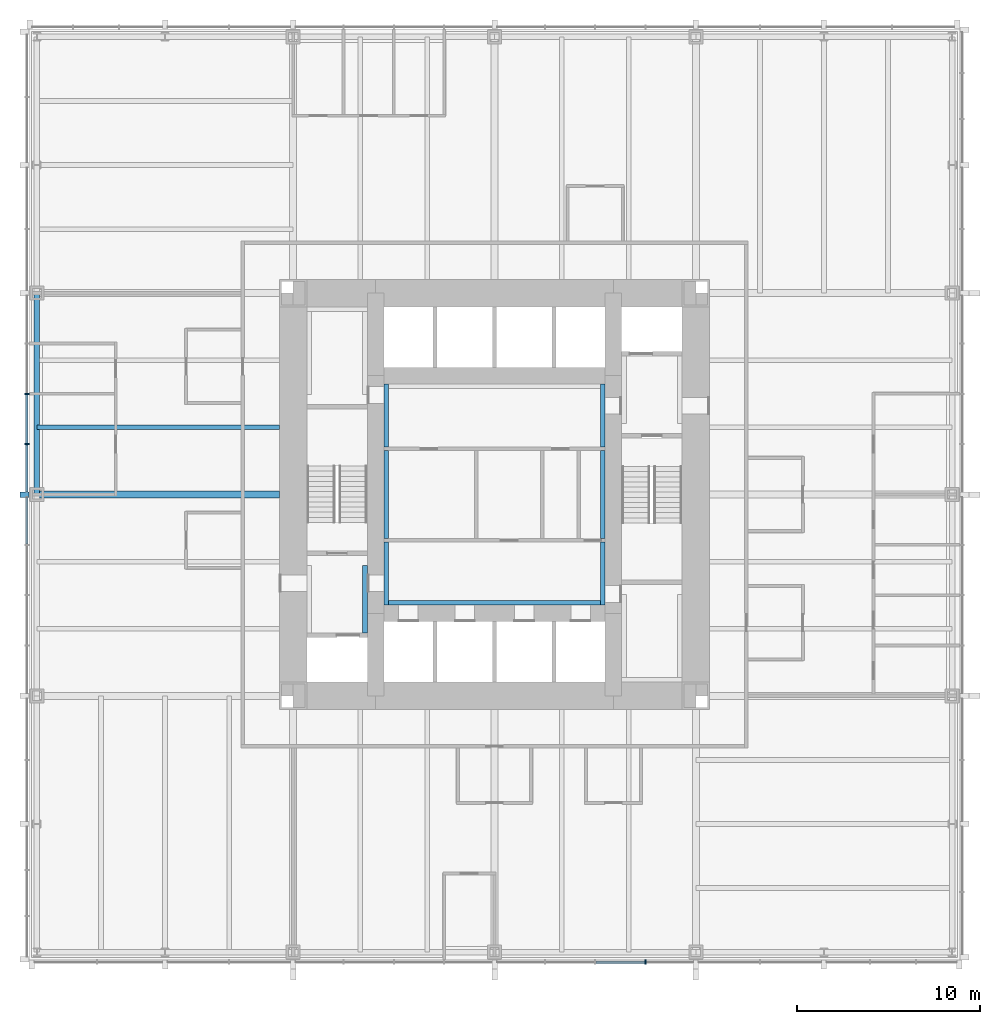
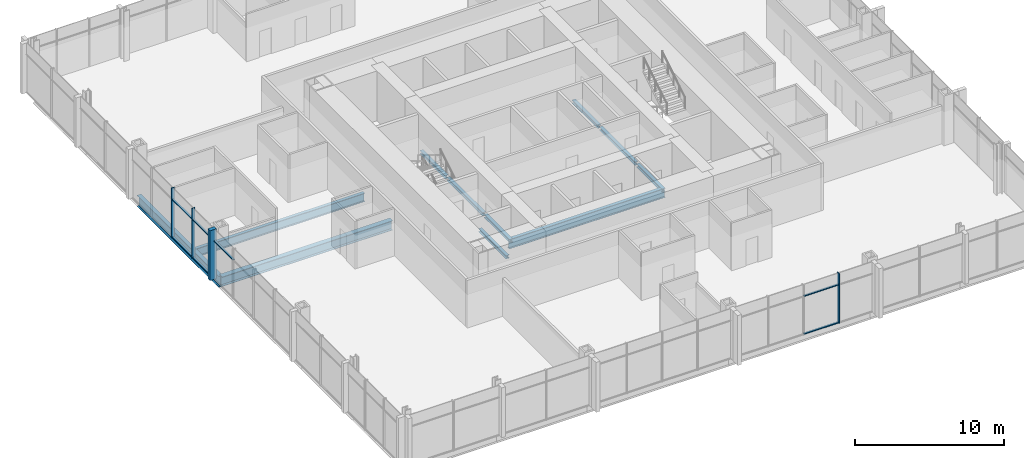
# One storey, part 3 of 12: 11 beams, 11 members, 2 elements without a shape of their own.
"""IFC4 building model written with IfcOpenShell, lengths in metres."""

from ifc_helpers import new_model, si_unit, direction, frame, origin, origin_2d, place, context, subcontext, project, spatial, rectangle, i_section, extrude, material, material_profile, profile_set, type_object, element, aggregate, save


model = new_model("IFC4")

# Units and contexts
model_context = context("Model", 3, precision=1e-05, world=origin(), true_north=direction((0.0, 1.0)))
body_context = subcontext(model_context, "Body", "Model", "MODEL_VIEW")
ifc_project = project(units=[si_unit("LENGTHUNIT", "METRE"), si_unit("AREAUNIT", "SQUARE_METRE"), si_unit("VOLUMEUNIT", "CUBIC_METRE"), si_unit("PLANEANGLEUNIT", "RADIAN"), si_unit("MASSUNIT", "GRAM", prefix="KILO")], contexts=[model_context])

# Site, building, storey
site_placement = place(None, origin())
site = spatial("IfcSite", under=ifc_project, at=site_placement, CompositionType="ELEMENT")
building_placement = place(site_placement, origin())
building = spatial("IfcBuilding", under=site, at=building_placement, Name="Trevanion Tower", CompositionType="ELEMENT")
storey_placement = place(building_placement, frame((0.0, 0.0, 32.39990234375)))
storey = spatial("IfcBuildingStorey", under=building, at=storey_placement, Name="L07", CompositionType="ELEMENT", Elevation=32.39990234375)

# Beam
ifc_material_1 = material(Name="Steel ASTM A992 Grade 50", Category="steel")
ifc_material_profile_1 = material_profile(ifc_material_1, i_section(OverallWidth=0.25390625, OverallDepth=0.700927734375, WebThickness=0.015380859375, FlangeThickness=0.02783203125, at=origin_2d()), Name="W27X129")
ifc_profile_set_1 = profile_set([ifc_material_profile_1], Name="Steel ASTM A992 Grade 50")
beam_type_1 = type_object("IfcBeamType", Name="B3 W27X129", PredefinedType="BEAM", material=ifc_profile_set_1)
beam_1_placement = place(storey_placement, frame((-11.75, 3.666748046875, -0.540283203125), z_axis=(-1.0, 0.0, 0.0), x_axis=(0.0, -1.0, 0.0)))
element("IfcBeam", 1, at=beam_1_placement, inside=storey, type_object=beam_type_1, Name="B3 L07", PredefinedType="BEAM", context=body_context, shape_type="SweptSolid", body=[
    extrude(i_section(OverallWidth=0.25390625, OverallDepth=0.700927734375, WebThickness=0.015380859375, FlangeThickness=0.02783203125, at=origin_2d()), origin(), (0.0, 0.0, 1.0), 13.25),
])

# Curtain wall, members
ifc_material_2 = material(Name="Aluminium and glass", Category="aluminium")
curtain_wall_type = type_object("IfcCurtainWallType", Name="CW1 curtain wall", PredefinedType="USERDEFINED", material=ifc_material_2)
curtain_wall_1_placement = place(storey_placement, origin())
curtain_wall_1 = element("IfcCurtainWall", 2, at=curtain_wall_1_placement, inside=storey, type_object=curtain_wall_type, Name="CW1 L07 2", ObjectType="UNITISED CURTAIN WALL", PredefinedType="USERDEFINED")
ifc_material_3 = material(Name="Aluminium extrusion, anodised bronze", Category="aluminium")
ifc_material_profile_2 = material_profile(ifc_material_3, rectangle(XDim=0.074951171875, YDim=0.25, at=origin_2d()), Name="CW1 mullion")
ifc_profile_set_2 = profile_set([ifc_material_profile_2], Name="Aluminium extrusion, anodised bronze")
member_type_1 = type_object("IfcMemberType", Name="CW1 mullion", PredefinedType="MULLION", material=ifc_profile_set_2)
member_1_placement = place(storey_placement, frame((-25.550048828125, 5.5, -0.18994140625), z_axis=(0.0, 0.0, 1.0), x_axis=(0.0, -1.0, 0.0)))
member_1 = element("IfcMember", 3, at=member_1_placement, type_object=member_type_1, Name="CW1 mullion 7", PredefinedType="MULLION", context=body_context, shape_type="SweptSolid", body=[
    extrude(rectangle(XDim=0.074951171875, YDim=0.25, at=origin_2d()), origin(), (0.0, 0.0, 1.0), 4.10009765625),
])
member_2_placement = place(storey_placement, frame((-25.550048828125, 2.75, -0.18994140625), z_axis=(0.0, 0.0, 1.0), x_axis=(0.0, -1.0, 0.0)))
member_2 = element("IfcMember", 4, at=member_2_placement, type_object=member_type_1, Name="CW1 mullion 8", PredefinedType="MULLION", context=body_context, shape_type="SweptSolid", body=[
    extrude(rectangle(XDim=0.074951171875, YDim=0.25, at=origin_2d()), origin(), (0.0, 0.0, 1.0), 4.10009765625),
])

# Curtain wall, member
curtain_wall_2_placement = place(storey_placement, origin())
curtain_wall_2 = element("IfcCurtainWall", 5, at=curtain_wall_2_placement, inside=storey, type_object=curtain_wall_type, Name="CW1 L07 3", ObjectType="UNITISED CURTAIN WALL", PredefinedType="USERDEFINED")
member_3_placement = place(storey_placement, frame((8.25, -25.550048828125, -0.18994140625), z_axis=(0.0, 0.0, 1.0), x_axis=(1.0, 0.0, 0.0)))
member_3 = element("IfcMember", 6, at=member_3_placement, type_object=member_type_1, Name="CW1 mullion 12", PredefinedType="MULLION", context=body_context, shape_type="SweptSolid", body=[
    extrude(rectangle(XDim=0.074951171875, YDim=0.25, at=origin_2d()), origin(), (0.0, 0.0, 1.0), 4.10009765625),
])

# Member
ifc_material_4 = material(Name="Aluminium extrusion, anodised bronze", Category="aluminium")
ifc_material_profile_3 = material_profile(ifc_material_4, rectangle(XDim=0.300048828125, YDim=0.5, at=origin_2d()), Name="CW1 pier mullion")
ifc_profile_set_3 = profile_set([ifc_material_profile_3], Name="Aluminium extrusion, anodised bronze")
member_type_2 = type_object("IfcMemberType", Name="CW1 pier mullion", PredefinedType="MULLION", material=ifc_profile_set_3)
member_4_placement = place(storey_placement, frame((-25.675048828125, 0.0, -0.18994140625), z_axis=(0.0, 0.0, 1.0), x_axis=(0.0, -1.0, 0.0)))
member_4 = element("IfcMember", 7, at=member_4_placement, type_object=member_type_2, Name="CW1 pier mullion 9", PredefinedType="MULLION", context=body_context, shape_type="SweptSolid", body=[
    extrude(rectangle(XDim=0.300048828125, YDim=0.5, at=origin_2d()), origin(), (0.0, 0.0, 1.0), 4.10009765625),
])

ifc_material_5 = material(Name="Aluminium extrusion, anodised bronze", Category="aluminium")
ifc_material_profile_4 = material_profile(ifc_material_5, rectangle(XDim=0.14990234375, YDim=0.074951171875, at=origin_2d()), Name="CW1 transom")
ifc_profile_set_4 = profile_set([ifc_material_profile_4], Name="Aluminium extrusion, anodised bronze")
member_type_3 = type_object("IfcMemberType", Name="CW1 transom", PredefinedType="USERDEFINED", material=ifc_profile_set_4)
member_5_placement = place(storey_placement, frame((-25.550048828125, 5.46240234375, -0.15234375), z_axis=(0.0, -1.0, 0.0), x_axis=(1.0, 0.0, 0.0)))
member_5 = element("IfcMember", 8, at=member_5_placement, type_object=member_type_3, Name="CW1 transom 7.1", ObjectType="TRANSOM", PredefinedType="USERDEFINED", context=body_context, shape_type="SweptSolid", body=[
    extrude(rectangle(XDim=0.14990234375, YDim=0.074951171875, at=origin_2d()), origin(), (0.0, 0.0, 1.0), 2.6748046875),
])

member_6_placement = place(storey_placement, frame((-25.550048828125, 5.46240234375, 2.960205078125), z_axis=(0.0, -1.0, 0.0), x_axis=(1.0, 0.0, 0.0)))
member_6 = element("IfcMember", 9, at=member_6_placement, type_object=member_type_3, Name="CW1 transom 7.2", ObjectType="TRANSOM", PredefinedType="USERDEFINED", context=body_context, shape_type="SweptSolid", body=[
    extrude(rectangle(XDim=0.14990234375, YDim=0.074951171875, at=origin_2d()), origin(), (0.0, 0.0, 1.0), 2.6748046875),
])

member_7_placement = place(storey_placement, frame((-25.550048828125, 2.71240234375, -0.15234375), z_axis=(0.0, -1.0, 0.0), x_axis=(1.0, 0.0, 0.0)))
member_7 = element("IfcMember", 10, at=member_7_placement, type_object=member_type_3, Name="CW1 transom 8.1", ObjectType="TRANSOM", PredefinedType="USERDEFINED", context=body_context, shape_type="SweptSolid", body=[
    extrude(rectangle(XDim=0.14990234375, YDim=0.074951171875, at=origin_2d()), origin(), (0.0, 0.0, 1.0), 2.5625),
])

member_8_placement = place(storey_placement, frame((-25.550048828125, 2.71240234375, 2.960205078125), z_axis=(0.0, -1.0, 0.0), x_axis=(1.0, 0.0, 0.0)))
member_8 = element("IfcMember", 11, at=member_8_placement, type_object=member_type_3, Name="CW1 transom 8.2", ObjectType="TRANSOM", PredefinedType="USERDEFINED", context=body_context, shape_type="SweptSolid", body=[
    extrude(rectangle(XDim=0.14990234375, YDim=0.074951171875, at=origin_2d()), origin(), (0.0, 0.0, 1.0), 2.5625),
])

member_9_placement = place(storey_placement, frame((-25.550048828125, -0.14990234375, 2.960205078125), z_axis=(0.0, -1.0, 0.0), x_axis=(1.0, 0.0, 0.0)))
member_9 = element("IfcMember", 12, at=member_9_placement, type_object=member_type_3, Name="CW1 transom 9.2", ObjectType="TRANSOM", PredefinedType="USERDEFINED", context=body_context, shape_type="SweptSolid", body=[
    extrude(rectangle(XDim=0.14990234375, YDim=0.074951171875, at=origin_2d()), origin(), (0.0, 0.0, 1.0), 2.5625),
])

aggregate(curtain_wall_1, [member_1, member_2, member_4, member_5, member_6, member_7, member_8, member_9])

member_10_placement = place(storey_placement, frame((5.53759765625, -25.550048828125, -0.15234375), z_axis=(1.0, 0.0, 0.0), x_axis=(0.0, 1.0, 0.0)))
member_10 = element("IfcMember", 13, at=member_10_placement, type_object=member_type_3, Name="CW1 transom 11.1", ObjectType="TRANSOM", PredefinedType="USERDEFINED", context=body_context, shape_type="SweptSolid", body=[
    extrude(rectangle(XDim=0.14990234375, YDim=0.074951171875, at=origin_2d()), origin(), (0.0, 0.0, 1.0), 2.6748046875),
])

member_11_placement = place(storey_placement, frame((5.53759765625, -25.550048828125, 2.960205078125), z_axis=(1.0, 0.0, 0.0), x_axis=(0.0, 1.0, 0.0)))
member_11 = element("IfcMember", 14, at=member_11_placement, type_object=member_type_3, Name="CW1 transom 11.2", ObjectType="TRANSOM", PredefinedType="USERDEFINED", context=body_context, shape_type="SweptSolid", body=[
    extrude(rectangle(XDim=0.14990234375, YDim=0.074951171875, at=origin_2d()), origin(), (0.0, 0.0, 1.0), 2.6748046875),
])

aggregate(curtain_wall_2, [member_3, member_10, member_11])

# Beams
ifc_material_6 = material(Name="Steel ASTM A992 Grade 50", Category="steel")
ifc_material_profile_5 = material_profile(ifc_material_6, i_section(OverallWidth=0.381103515625, OverallDepth=0.77978515625, WebThickness=0.01806640625, FlangeThickness=0.0302734375, at=origin_2d()), Name="W30X191")
ifc_profile_set_5 = profile_set([ifc_material_profile_5], Name="Steel ASTM A992 Grade 50")
beam_type_2 = type_object("IfcBeamType", Name="G2 W30X191", PredefinedType="BEAM", material=ifc_profile_set_5)
beam_2_placement = place(storey_placement, frame((-11.75, 0.0, -0.579833984375), z_axis=(-1.0, 0.0, 0.0), x_axis=(0.0, -1.0, 0.0)))
element("IfcBeam", 15, at=beam_2_placement, inside=storey, type_object=beam_type_2, Name="G2 L07", PredefinedType="BEAM", context=body_context, shape_type="SweptSolid", body=[
    extrude(i_section(OverallWidth=0.381103515625, OverallDepth=0.77978515625, WebThickness=0.01806640625, FlangeThickness=0.0302734375, at=origin_2d()), origin(), (0.0, 0.0, 1.0), 13.25),
])
ifc_material_7 = material(Name="Steel ASTM A992 Grade 50", Category="steel")
ifc_material_profile_6 = material_profile(ifc_material_7, i_section(OverallWidth=0.256591796875, OverallDepth=0.26416015625, WebThickness=0.011962890625, FlangeThickness=0.01953125, at=origin_2d()), Name="W10X68")
ifc_profile_set_6 = profile_set([ifc_material_profile_6], Name="Steel ASTM A992 Grade 50")
beam_type_3 = type_object("IfcBeamType", Name="LB1 W10X68", PredefinedType="BEAM", material=ifc_profile_set_6)
for number, where, z_axis, x_axis, name in (
    (16, (-5.921630859375, 2.60009765625, -0.33203125), (0.0, 1.0, 0.0), (-1.0, 0.0, 0.0), "LB1 L07"),
    (17, (5.921630859375, 2.60009765625, -0.33203125), (0.0, 1.0, 0.0), (-1.0, 0.0, 0.0), "LB1 L07"),
    (18, (-5.921630859375, -6.050048828125, -0.33203125), (0.0, 1.0, 0.0), (-1.0, 0.0, 0.0), "LB1 L07"),
    (19, (5.921630859375, -6.050048828125, -0.33203125), (0.0, 1.0, 0.0), (-1.0, 0.0, 0.0), "LB1 L07"),
):
    element("IfcBeam", number, at=place(storey_placement, frame(where, z_axis=z_axis, x_axis=x_axis)), inside=storey, type_object=beam_type_3, Name=name, PredefinedType="BEAM", context=body_context, shape_type="SweptSolid", body=[
        extrude(i_section(OverallWidth=0.256591796875, OverallDepth=0.26416015625, WebThickness=0.011962890625, FlangeThickness=0.01953125, at=origin_2d()), origin(), (0.0, 0.0, 1.0), 3.449951171875),
    ])
beam_3_placement = place(storey_placement, frame((-7.078369140625, -7.574951171875, -0.33203125), z_axis=(0.0, 1.0, 0.0), x_axis=(-1.0, 0.0, 0.0)))
element("IfcBeam", 20, at=beam_3_placement, inside=storey, type_object=beam_type_3, Name="LB1 L07", PredefinedType="BEAM", context=body_context, shape_type="SweptSolid", body=[
    extrude(i_section(OverallWidth=0.256591796875, OverallDepth=0.26416015625, WebThickness=0.011962890625, FlangeThickness=0.01953125, at=origin_2d()), origin(), (0.0, 0.0, 1.0), 3.699951171875),
])
for number, where, z_axis, x_axis, name in (
    (21, (-5.921630859375, -2.39990234375, -0.33203125), (0.0, 1.0, 0.0), (-1.0, 0.0, 0.0), "LB1 L07"),
    (22, (5.921630859375, -2.39990234375, -0.33203125), (0.0, 1.0, 0.0), (-1.0, 0.0, 0.0), "LB1 L07"),
):
    element("IfcBeam", number, at=place(storey_placement, frame(where, z_axis=z_axis, x_axis=x_axis)), inside=storey, type_object=beam_type_3, Name=name, PredefinedType="BEAM", context=body_context, shape_type="SweptSolid", body=[
        extrude(i_section(OverallWidth=0.256591796875, OverallDepth=0.26416015625, WebThickness=0.011962890625, FlangeThickness=0.01953125, at=origin_2d()), origin(), (0.0, 0.0, 1.0), 4.7998046875),
    ])
ifc_material_8 = material(Name="Steel ASTM A992 Grade 50", Category="steel")
ifc_material_profile_7 = material_profile(ifc_material_8, i_section(OverallWidth=0.2666015625, OverallDepth=0.76953125, WebThickness=0.015625, FlangeThickness=0.025390625, at=origin_2d()), Name="W30X132")
ifc_profile_set_7 = profile_set([ifc_material_profile_7], Name="Steel ASTM A992 Grade 50")
beam_type_4 = type_object("IfcBeamType", Name="LB3 W30X132", PredefinedType="BEAM", material=ifc_profile_set_7)
beam_4_placement = place(storey_placement, frame((-6.050048828125, -5.91650390625, -0.584716796875), z_axis=(1.0, 0.0, 0.0), x_axis=(0.0, 1.0, 0.0)))
element("IfcBeam", 23, at=beam_4_placement, inside=storey, type_object=beam_type_4, Name="LB3 L07", PredefinedType="BEAM", context=body_context, shape_type="SweptSolid", body=[
    extrude(i_section(OverallWidth=0.2666015625, OverallDepth=0.76953125, WebThickness=0.015625, FlangeThickness=0.025390625, at=origin_2d()), origin(), (0.0, 0.0, 1.0), 12.10009765625),
])
ifc_material_9 = material(Name="Steel ASTM A992 Grade 50", Category="steel")
ifc_material_profile_8 = material_profile(ifc_material_9, i_section(OverallWidth=0.307373046875, OverallDepth=0.927001953125, WebThickness=0.01953125, FlangeThickness=0.031982421875, at=origin_2d()), Name="W36X194")
ifc_profile_set_8 = profile_set([ifc_material_profile_8], Name="Steel ASTM A992 Grade 50")
beam_type_5 = type_object("IfcBeamType", Name="SB2 W36X194", PredefinedType="SPANDREL", material=ifc_profile_set_8)
beam_5_placement = place(storey_placement, frame((-25.0, 11.0, -0.653564453125), z_axis=(0.0, -1.0, 0.0), x_axis=(1.0, 0.0, 0.0)))
element("IfcBeam", 24, at=beam_5_placement, inside=storey, type_object=beam_type_5, Name="SB2 L07", PredefinedType="SPANDREL", context=body_context, shape_type="SweptSolid", body=[
    extrude(i_section(OverallWidth=0.307373046875, OverallDepth=0.927001953125, WebThickness=0.01953125, FlangeThickness=0.031982421875, at=origin_2d()), origin(), (0.0, 0.0, 1.0), 11.0),
])

save(model, "model.ifc")
